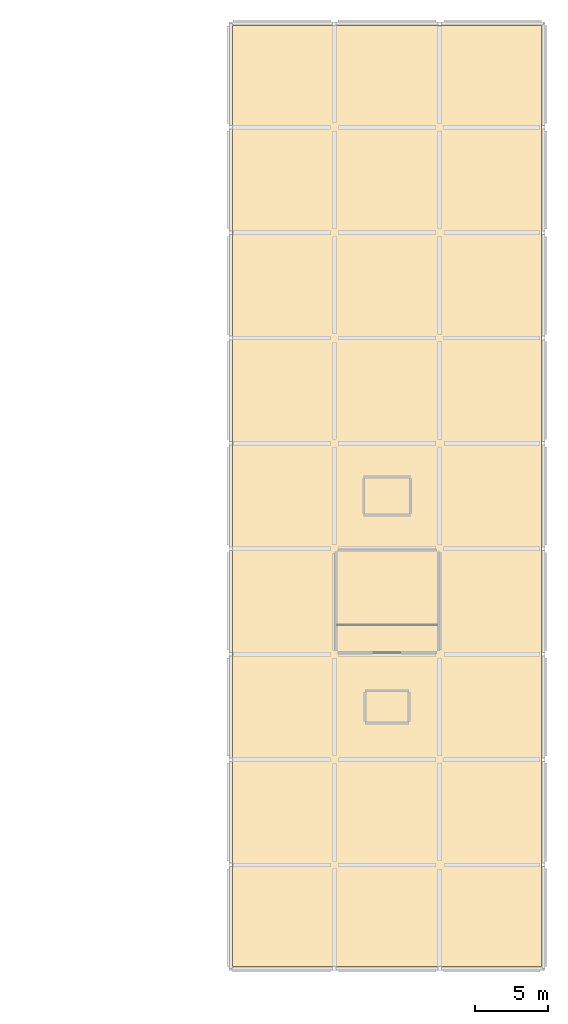
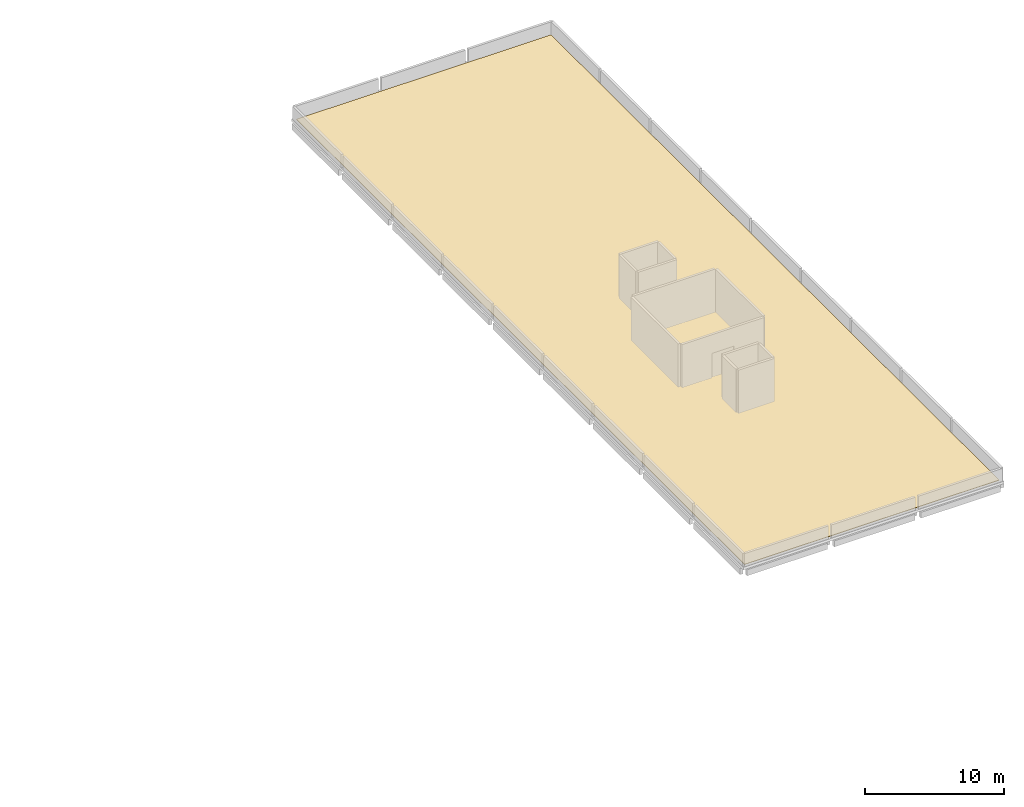
# One storey, part 15 of 15: 1 covering.
"""IFC4 building model written with IfcOpenShell, lengths in metres."""

from ifc_helpers import new_model, si_unit, direction, frame, origin, place, context, subcontext, project, spatial, polyline, outline, extrude, material, layer, layer_set, type_object, element, save


model = new_model("IFC4")

# Units and contexts
model_context = context("Model", 3, precision=1e-05, world=origin(), true_north=direction((0.0, 1.0)))
body_context = subcontext(model_context, "Body", "Model", "MODEL_VIEW")
ifc_project = project(units=[si_unit("LENGTHUNIT", "METRE"), si_unit("AREAUNIT", "SQUARE_METRE"), si_unit("VOLUMEUNIT", "CUBIC_METRE"), si_unit("PLANEANGLEUNIT", "RADIAN"), si_unit("MASSUNIT", "GRAM", prefix="KILO")], contexts=[model_context])

# Site, building, storey
site_placement = place(None, origin())
site = spatial("IfcSite", under=ifc_project, at=site_placement, CompositionType="ELEMENT")
building_placement = place(site_placement, origin())
building = spatial("IfcBuilding", under=site, at=building_placement, Name="Kangsadwip Square Police Headquarters", CompositionType="ELEMENT")
storey_placement = place(building_placement, frame((0.0, 0.0, 29.699951171875)))
storey = spatial("IfcBuildingStorey", under=building, at=storey_placement, Name="L07", CompositionType="ELEMENT", Elevation=29.699951171875)

# Covering
ifc_material = material(Name="High-albedo elastomeric SRI-104 insulated roof membrane", Category="roofing")
ifc_layer = layer(ifc_material, 0.0400390625)
ifc_layer_set = layer_set([ifc_layer], Name="High-albedo elastomeric SRI-104 insulated roof membrane")
covering_type = type_object("IfcCoveringType", Name="HighAlbedoRoofMembrane", PredefinedType="ROOFING", material=ifc_layer_set)
covering_placement = place(storey_placement, origin())
element("IfcCovering", 1, at=covering_placement, inside=storey, type_object=covering_type, Name="Cool Roof Membrane RF-L07-V6", PredefinedType="ROOFING", context=body_context, shape_type="SweptSolid", body=[
    extrude(outline(polyline([(144.25, 36.25), (165.35009765625, 36.25), (165.35009765625, 100.550048828125), (144.25, 100.550048828125), (144.25, 36.25)])), origin(), (0.0, 0.0, 1.0), 0.0400390625),
])

save(model, "model.ifc")
